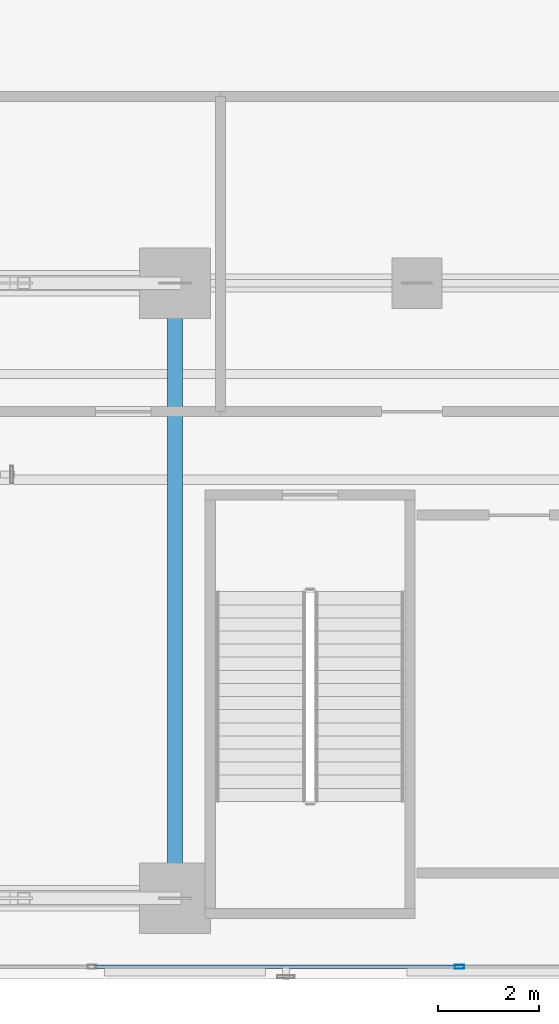
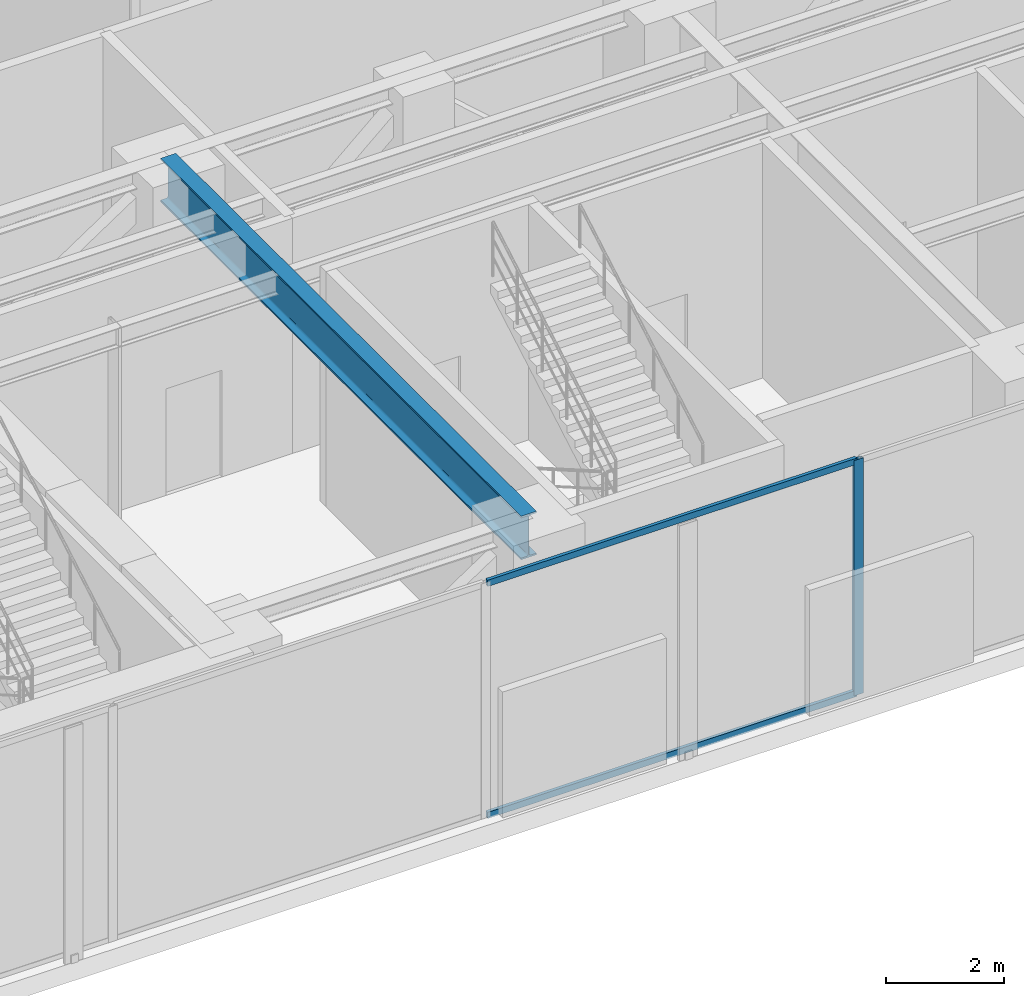
# One storey, part 6 of 37: 3 members, 1 beam, 1 element without a shape of its own.
"""IFC4 building model written with IfcOpenShell, lengths in metres."""

from ifc_helpers import new_model, si_unit, direction, frame, origin, origin_with_axes, origin_2d, place, context, subcontext, project, spatial, hollow_rectangle, i_section, extrude, source, transform, mapped, material, layer, layer_set, material_profile, profile_set, type_object, element, aggregate, save


model = new_model("IFC4")

# Units and contexts
model_context = context("Model", 3, precision=1e-05, world=origin(), true_north=direction((0.0, 1.0)))
body_context = subcontext(model_context, "Body", "Model", "MODEL_VIEW")
ifc_project = project(units=[si_unit("LENGTHUNIT", "METRE"), si_unit("AREAUNIT", "SQUARE_METRE"), si_unit("VOLUMEUNIT", "CUBIC_METRE"), si_unit("PLANEANGLEUNIT", "RADIAN"), si_unit("MASSUNIT", "GRAM", prefix="KILO")], contexts=[model_context])

# Site, building, storey
site_placement = place(None, origin())
site = spatial("IfcSite", under=ifc_project, at=site_placement, CompositionType="ELEMENT")
building_placement = place(site_placement, origin())
building = spatial("IfcBuilding", under=site, at=building_placement, Name="Kolvaren Waterfront Exchange", CompositionType="ELEMENT")
storey_placement = place(building_placement, frame((0.0, 0.0, 141.10009765625)))
storey = spatial("IfcBuildingStorey", under=building, at=storey_placement, Name="L36", CompositionType="ELEMENT", Elevation=141.10009765625)

# Beam
ifc_material_1 = material(Name="Steel S355", Category="steel")
ifc_material_profile_1 = material_profile(ifc_material_1, i_section(OverallWidth=0.300048828125, OverallDepth=0.89990234375, WebThickness=0.0185546875, FlangeThickness=0.034912109375, FilletRadius=0.030029296875, at=origin_2d()), Name="HEB900")
ifc_profile_set_1 = profile_set([ifc_material_profile_1], Name="Steel S355")
beam_type = type_object("IfcBeamType", Name="STR-BM-HEB900", PredefinedType="BEAM", material=ifc_profile_set_1)
beam_placement = place(storey_placement, frame((27.199951171875, 5.199951171875, 4.409912109375), z_axis=(0.0, 1.0, 0.0), x_axis=(-1.0, 0.0, 0.0)))
element("IfcBeam", 1, at=beam_placement, inside=storey, type_object=beam_type, Name="L36 east-arm transverse girder X27", PredefinedType="BEAM", context=body_context, shape_type="SweptSolid", body=[
    extrude(i_section(OverallWidth=0.300048828125, OverallDepth=0.89990234375, WebThickness=0.0185546875, FlangeThickness=0.034912109375, FilletRadius=0.030029296875, at=origin_2d()), origin(), (0.0, 0.0, 1.0), 12.199951171875),
])

# Curtain wall, members
ifc_material_2 = material(Name="Anodised dark bronze spandrel aluminium", Category="aluminium")
ifc_layer = layer(ifc_material_2, 0.219970703125, Name="Anodised dark bronze spandrel aluminium")
ifc_layer_set = layer_set([ifc_layer], Name="Anodised dark bronze spandrel aluminium")
curtain_wall_type = type_object("IfcCurtainWallType", Name="ARC-CW-SYS6", PredefinedType="USERDEFINED", material=ifc_layer_set)
curtain_wall_placement = place(storey_placement, origin())
curtain_wall = element("IfcCurtainWall", 2, at=curtain_wall_placement, inside=storey, type_object=curtain_wall_type, Name="L36 stick curtain wall CW6 (CW-L36-S)", ObjectType="STICK CURTAIN WALL", PredefinedType="USERDEFINED")
ifc_material_3 = material(Name="Anodised bronze aluminium 6063-T6", Category="aluminium")
ifc_material_profile_2 = material_profile(ifc_material_3, hollow_rectangle(XDim=0.074951171875, YDim=0.179931640625, WallThickness=0.00439453125, at=origin_2d()), Name="ALU-MUL-180x75x4.5")
ifc_profile_set_2 = profile_set([ifc_material_profile_2], Name="Anodised bronze aluminium 6063-T6")
member_type_1 = type_object("IfcMemberType", Name="ARC-CWM-180", PredefinedType="MULLION", material=ifc_profile_set_2)
shared_shape_1 = source(origin_with_axes(), body_context, "Body", "SweptSolid", [
    extrude(hollow_rectangle(XDim=0.074951171875, YDim=0.179931640625, WallThickness=0.00439453125, at=origin_2d()), origin(), (0.0, 0.0, 1.0), 4.85986328125),
])
member_1_placement = place(storey_placement, frame((32.8427734375, 3.840087890625, 0.0), z_axis=(0.0, 0.0, 1.0), x_axis=(0.0, 1.0, 0.0)))
member_1 = element("IfcMember", 3, at=member_1_placement, type_object=member_type_1, Name="CW6 mullion 5", PredefinedType="MULLION", context=body_context, shape_type="MappedRepresentation", body=[
    mapped(shared_shape_1, transform((0.0, 0.0, 0.0), x_axis=(1.0, 0.0, 0.0), y_axis=(0.0, 1.0, 0.0), z_axis=(0.0, 0.0, 1.0), scale=1.0)),
])
ifc_material_profile_3 = material_profile(ifc_material_3, hollow_rectangle(XDim=0.06494140625, YDim=0.1298828125, WallThickness=0.00390625, at=origin_2d()), Name="ALU-TRN-130x65x4")
ifc_profile_set_3 = profile_set([ifc_material_profile_3], Name="Anodised bronze aluminium 6063-T6")
member_type_2 = type_object("IfcMemberType", Name="ARC-CWT-130", PredefinedType="USERDEFINED", material=ifc_profile_set_3)
shared_shape_2 = source(origin_with_axes(), body_context, "Body", "SweptSolid", [
    extrude(hollow_rectangle(XDim=0.06494140625, YDim=0.1298828125, WallThickness=0.00390625, at=origin_2d()), origin(), (0.0, 0.0, 1.0), 7.210693359375),
])
member_2_placement = place(storey_placement, frame((25.5947265625, 3.840087890625, 0.032470703125), z_axis=(1.0, 0.0, 0.0), x_axis=(0.0, 1.0, 0.0)))
member_2 = element("IfcMember", 4, at=member_2_placement, type_object=member_type_2, Name="CW6 transom 4.1", ObjectType="TRANSOM", PredefinedType="USERDEFINED", context=body_context, shape_type="MappedRepresentation", body=[
    mapped(shared_shape_2, transform((0.0, 0.0, 0.0), x_axis=(1.0, 0.0, 0.0), y_axis=(0.0, 1.0, 0.0), z_axis=(0.0, 0.0, 1.0), scale=1.0)),
])
member_3_placement = place(storey_placement, frame((25.5947265625, 3.840087890625, 4.827392578125), z_axis=(1.0, 0.0, 0.0), x_axis=(0.0, 1.0, 0.0)))
member_3 = element("IfcMember", 5, at=member_3_placement, type_object=member_type_2, Name="CW6 transom 4.2", ObjectType="TRANSOM", PredefinedType="USERDEFINED", context=body_context, shape_type="MappedRepresentation", body=[
    mapped(shared_shape_2, transform((0.0, 0.0, 0.0), x_axis=(1.0, 0.0, 0.0), y_axis=(0.0, 1.0, 0.0), z_axis=(0.0, 0.0, 1.0), scale=1.0)),
])
aggregate(curtain_wall, [member_1, member_2, member_3])

save(model, "model.ifc")
